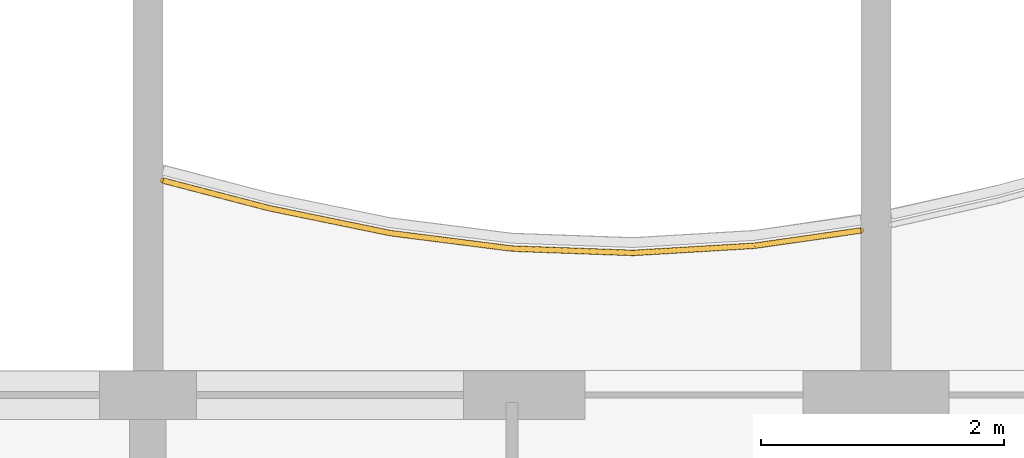
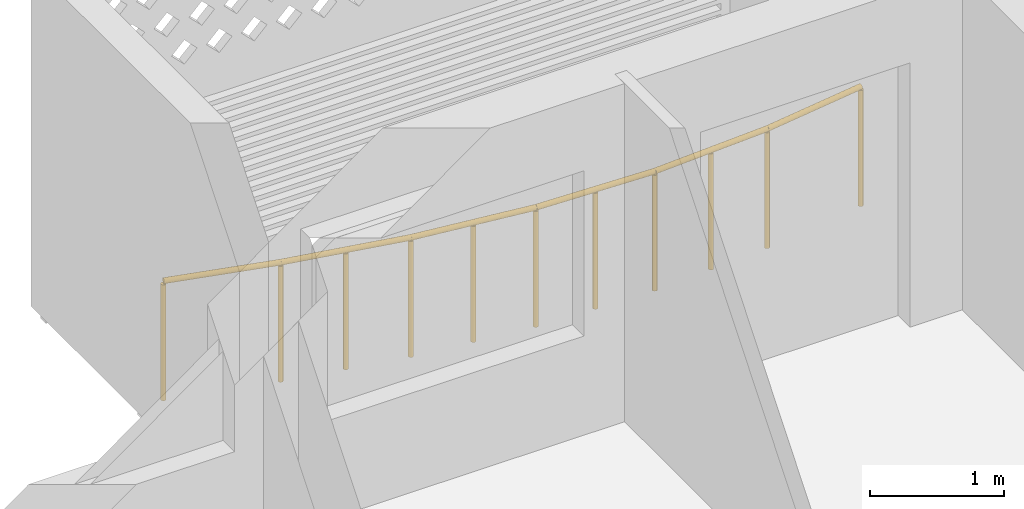
# One storey, part 26 of 31: 1 railing.
"""IFC4 building model written with IfcOpenShell, lengths in metres."""

from ifc_helpers import new_model, si_unit, direction, frame, origin, origin_2d, place, context, subcontext, project, spatial, circle, extrude, material, type_object, element, save


model = new_model("IFC4")

# Units and contexts
model_context = context("Model", 3, precision=1e-05, world=origin(), true_north=direction((0.0, 1.0)))
body_context = subcontext(model_context, "Body", "Model", "MODEL_VIEW")
ifc_project = project(units=[si_unit("LENGTHUNIT", "METRE"), si_unit("AREAUNIT", "SQUARE_METRE"), si_unit("VOLUMEUNIT", "CUBIC_METRE"), si_unit("PLANEANGLEUNIT", "RADIAN"), si_unit("MASSUNIT", "GRAM", prefix="KILO")], contexts=[model_context])

# Site, building, storey
site_placement = place(None, origin())
site = spatial("IfcSite", under=ifc_project, at=site_placement, CompositionType="ELEMENT")
building_placement = place(site_placement, origin())
building = spatial("IfcBuilding", under=site, at=building_placement, Name="Poui Terraces", CompositionType="ELEMENT")
storey_placement = place(building_placement, frame((0.0, 0.0, 142.199951171875)))
storey = spatial("IfcBuildingStorey", under=building, at=storey_placement, Name="L39", CompositionType="ELEMENT", Elevation=142.199951171875)

# Railing
ifc_material = material(Name="Painted steel fretwork", Category="steel")
railing_type = type_object("IfcRailingType", Name="BALCONY GUARD 1100", PredefinedType="GUARDRAIL", material=ifc_material)
railing_placement = place(storey_placement, frame((66.125, 44.1669921875, 0.0)))
element("IfcRailing", 1, at=railing_placement, inside=storey, type_object=railing_type, Name="BALCONY GUARD", PredefinedType="GUARDRAIL", context=body_context, shape_type="SweptSolid", body=[
    extrude(circle(Radius=0.02392578125, at=origin_2d()), frame((0.0, 0.0, 1.076171875), z_axis=(0.967746181344, -0.25192722857, 0.0), x_axis=(0.25192722857, 0.967746181344, 0.0)), (0.0, 0.0, 1.0), 0.904052734375),
    extrude(circle(Radius=0.02392578125, at=origin_2d()), frame((0.875, -0.227783203125, 1.076171875), z_axis=(0.979518122884, -0.201356020378, 0.0), x_axis=(0.201356020378, 0.979518122884, 0.0)), (0.0, 0.0, 1.0), 1.02099609375),
    extrude(circle(Radius=0.02392578125, at=origin_2d()), frame((1.875, -0.433349609375, 1.076171875), z_axis=(0.992007284566, -0.126180614077, 0.0), x_axis=(0.126180614077, 0.992007284566, 0.0)), (0.0, 0.0, 1.0), 1.008056640625),
    extrude(circle(Radius=0.02392578125, at=origin_2d()), frame((2.875, -0.560546875, 1.076171875), z_axis=(0.999365338401, -0.035621909035, 0.0), x_axis=(0.035621909035, 0.999365338401, 0.0)), (0.0, 0.0, 1.0), 1.000732421875),
    extrude(circle(Radius=0.02392578125, at=origin_2d()), frame((3.875, -0.59619140625, 1.076171875), z_axis=(0.998244834412, 0.05922204462, 0.0), x_axis=(-0.05922204462, 0.998244834412, 0.0)), (0.0, 0.0, 1.0), 1.001708984375),
    extrude(circle(Radius=0.02392578125, at=origin_2d()), frame((4.875, -0.536865234375, 1.076171875), z_axis=(0.9898720119, 0.14196267135, 0.0), x_axis=(-0.14196267135, 0.9898720119, 0.0)), (0.0, 0.0, 1.0), 0.884033203125),
    extrude(circle(Radius=0.02099609375, at=origin_2d()), origin(), (0.0, 0.0, 1.0), 1.052001953125),
    extrude(circle(Radius=0.02099609375, at=origin_2d()), frame((0.875, -0.227783203125, 0.0)), (0.0, 0.0, 1.0), 1.052001953125),
    extrude(circle(Radius=0.02099609375, at=origin_2d()), frame((1.375, -0.33056640625, 0.0)), (0.0, 0.0, 1.0), 1.052001953125),
    extrude(circle(Radius=0.02099609375, at=origin_2d()), frame((1.875, -0.433349609375, 0.0)), (0.0, 0.0, 1.0), 1.052001953125),
    extrude(circle(Radius=0.02099609375, at=origin_2d()), frame((2.375, -0.4970703125, 0.0)), (0.0, 0.0, 1.0), 1.052001953125),
    extrude(circle(Radius=0.02099609375, at=origin_2d()), frame((2.875, -0.560546875, 0.0)), (0.0, 0.0, 1.0), 1.052001953125),
    extrude(circle(Radius=0.02099609375, at=origin_2d()), frame((3.375, -0.578369140625, 0.0)), (0.0, 0.0, 1.0), 1.052001953125),
    extrude(circle(Radius=0.02099609375, at=origin_2d()), frame((3.875, -0.59619140625, 0.0)), (0.0, 0.0, 1.0), 1.052001953125),
    extrude(circle(Radius=0.02099609375, at=origin_2d()), frame((4.375, -0.56640625, 0.0)), (0.0, 0.0, 1.0), 1.052001953125),
    extrude(circle(Radius=0.02099609375, at=origin_2d()), frame((4.875, -0.536865234375, 0.0)), (0.0, 0.0, 1.0), 1.052001953125),
    extrude(circle(Radius=0.02099609375, at=origin_2d()), frame((5.75, -0.411376953125, 0.0)), (0.0, 0.0, 1.0), 1.052001953125),
])

save(model, "model.ifc")
